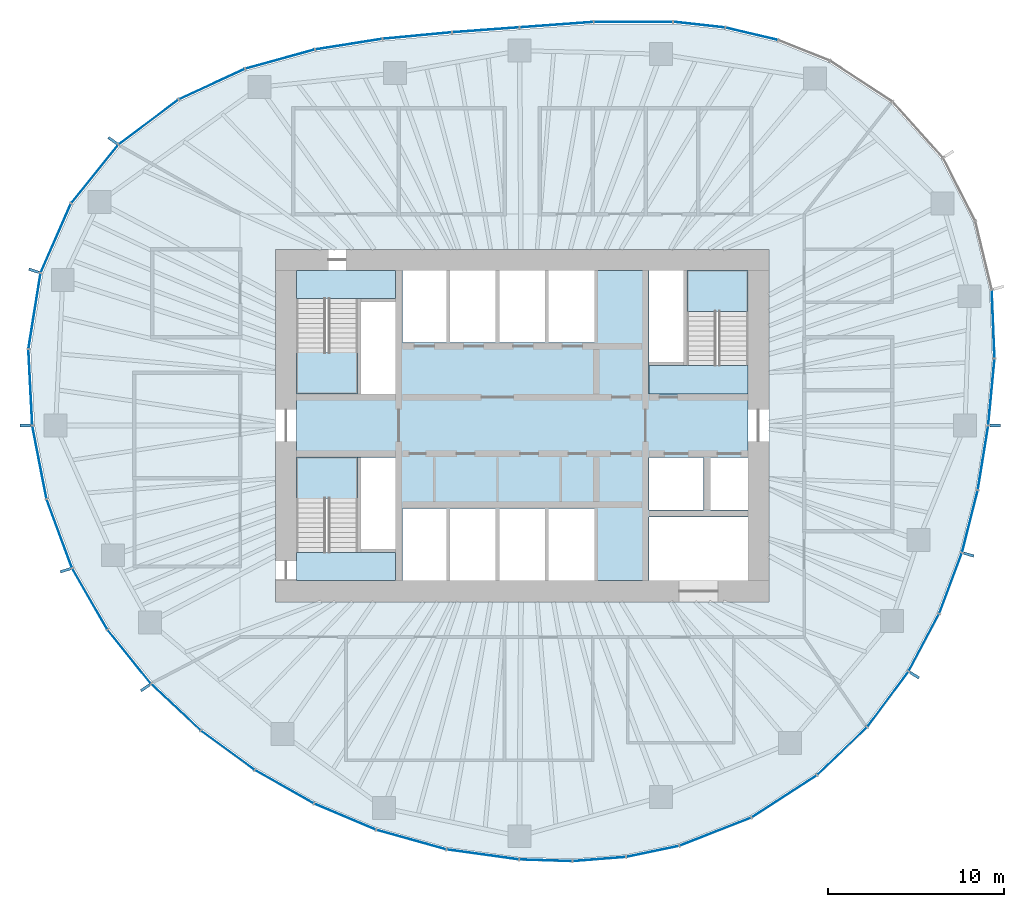
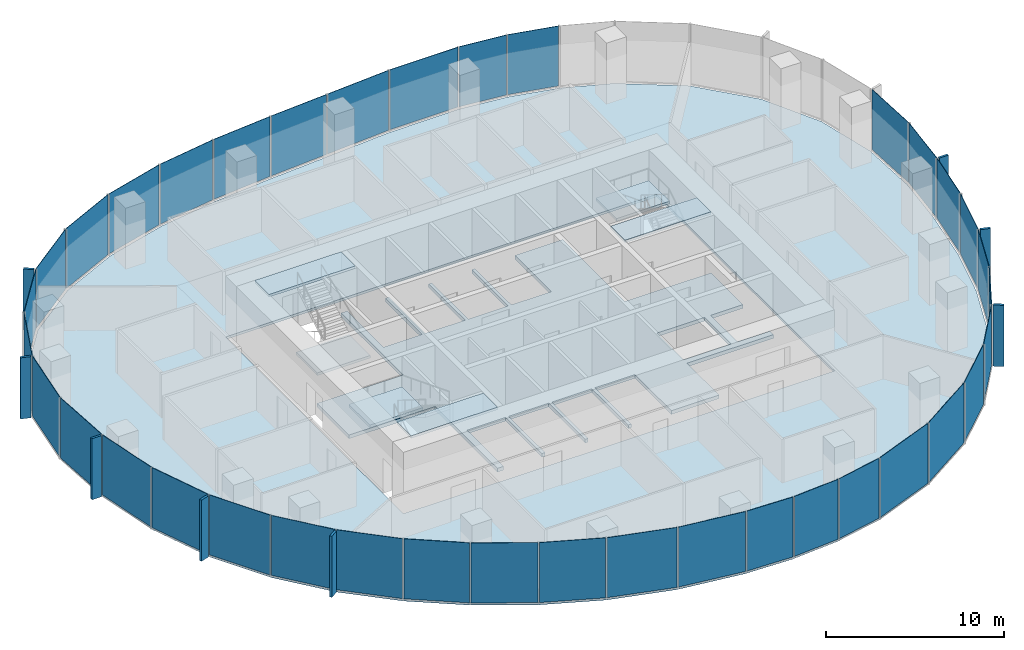
# One storey, part 7 of 11: 45 plates, 8 slabs, 21 elements without a shape of their own.
"""IFC4 building model written with IfcOpenShell, lengths in metres."""

from ifc_helpers import new_model, si_unit, direction, frame, origin, origin_2d, place, context, subcontext, project, spatial, polyline, rectangle, outline, extrude, material, layer, layer_set, type_object, element, aggregate, save


model = new_model("IFC4")

# Units and contexts
model_context = context("Model", 3, precision=1e-05, world=origin(), true_north=direction((0.0, 1.0)))
body_context = subcontext(model_context, "Body", "Model", "MODEL_VIEW")
ifc_project = project(units=[si_unit("LENGTHUNIT", "METRE"), si_unit("AREAUNIT", "SQUARE_METRE"), si_unit("VOLUMEUNIT", "CUBIC_METRE"), si_unit("PLANEANGLEUNIT", "RADIAN"), si_unit("MASSUNIT", "GRAM", prefix="KILO")], contexts=[model_context])

# Site, building, storey
site_placement = place(None, origin())
site = spatial("IfcSite", under=ifc_project, at=site_placement, CompositionType="ELEMENT")
building_placement = place(site_placement, origin())
building = spatial("IfcBuilding", under=site, at=building_placement, Name="Ghaith Harvest Tower", CompositionType="ELEMENT")
storey_placement = place(building_placement, frame((0.0, 0.0, 215.800048828125)))
storey = spatial("IfcBuildingStorey", under=building, at=storey_placement, Name="L47", CompositionType="ELEMENT", Elevation=215.800048828125)

# Curtain wall, plates
ifc_material_1 = material(Name="Black anodised aluminium and fritted glass", Category="aluminium")
curtain_wall_type = type_object("IfcCurtainWallType", Name="CW-H CURTAIN WALL", PredefinedType="NOTDEFINED", material=ifc_material_1)
curtain_wall_1_placement = place(storey_placement, origin())
curtain_wall_1 = element("IfcCurtainWall", 1, at=curtain_wall_1_placement, inside=storey, type_object=curtain_wall_type, Name="Curtain wall CW-H bay 01 L47", PredefinedType="NOTDEFINED")
ifc_material_2 = material(Name="Glass, dark solar-control fritted double glazed unit", Category="glass")
ifc_layer_1 = layer(ifc_material_2, 0.030029296875)
ifc_layer_set_1 = layer_set([ifc_layer_1], Name="CW-H VISION PANEL")
plate_type_1 = type_object("IfcPlateType", Name="CW-H VISION PANEL", PredefinedType="CURTAIN_PANEL", material=ifc_layer_set_1)
plate_1_placement = place(storey_placement, frame((26.624755859375, 1.89794921875, 0.079833984375), z_axis=(0.0, 0.0, 1.0), x_axis=(0.094301909937, 0.995543645343, 0.0)))
plate_1 = element("IfcPlate", 2, at=plate_1_placement, type_object=plate_type_1, Name="CW-H glass unit 1 bay 01 L47", PredefinedType="CURTAIN_PANEL", context=body_context, shape_type="SweptSolid", body=[
    extrude(rectangle(XDim=3.73291015625, YDim=0.030029296875, at=origin_2d()), origin(), (0.0, 0.0, 1.0), 4.1201171875),
])
plate_2_placement = place(storey_placement, frame((26.7255859375, 5.74853515625, 0.079833984375), z_axis=(0.0, 0.0, 1.0), x_axis=(-0.040462173218, 0.999181070947, 0.0)))
plate_2 = element("IfcPlate", 3, at=plate_2_placement, type_object=plate_type_1, Name="CW-H glass unit 2 bay 01 L47", PredefinedType="CURTAIN_PANEL", context=body_context, shape_type="SweptSolid", body=[
    extrude(rectangle(XDim=3.82861328125, YDim=0.030029296875, at=origin_2d()), origin(), (0.0, 0.0, 1.0), 4.1201171875),
])
aggregate(curtain_wall_1, [plate_1, plate_2])

curtain_wall_2_placement = place(storey_placement, origin())
curtain_wall_2 = element("IfcCurtainWall", 4, at=curtain_wall_2_placement, inside=storey, type_object=curtain_wall_type, Name="Curtain wall CW-H bay 04 L47", PredefinedType="NOTDEFINED")
plate_3_placement = place(storey_placement, frame((13.027099609375, 22.225341796875, 0.079833984375), z_axis=(0.0, 0.0, 1.0), x_axis=(-0.973266235028, 0.229679854916, 0.0)))
plate_3 = element("IfcPlate", 5, at=plate_3_placement, type_object=plate_type_1, Name="CW-H glass unit 2 bay 04 L47", PredefinedType="CURTAIN_PANEL", context=body_context, shape_type="SweptSolid", body=[
    extrude(rectangle(XDim=3.00244140625, YDim=0.030029296875, at=origin_2d()), origin(), (0.0, 0.0, 1.0), 4.1201171875),
])
plate_4_placement = place(storey_placement, frame((10.045654296875, 22.744384765625, 0.079833984375), z_axis=(0.0, 0.0, 1.0), x_axis=(-0.993865217442, 0.11059805405, 0.0)))
plate_4 = element("IfcPlate", 6, at=plate_4_placement, type_object=plate_type_1, Name="CW-H glass unit 3 bay 04 L47", PredefinedType="CURTAIN_PANEL", context=body_context, shape_type="SweptSolid", body=[
    extrude(rectangle(XDim=2.901123046875, YDim=0.030029296875, at=origin_2d()), origin(), (0.0, 0.0, 1.0), 4.1201171875),
])
aggregate(curtain_wall_2, [plate_3, plate_4])

curtain_wall_3_placement = place(storey_placement, origin())
curtain_wall_3 = element("IfcCurtainWall", 7, at=curtain_wall_3_placement, inside=storey, type_object=curtain_wall_type, Name="Curtain wall CW-H bay 05 L47", PredefinedType="NOTDEFINED")
plate_5_placement = place(storey_placement, frame((6.31201171875, 22.904296875, 0.079833984375), z_axis=(0.0, 0.0, 1.0), x_axis=(-0.999997643645, -0.002170876291, 0.0)))
plate_5 = element("IfcPlate", 8, at=plate_5_placement, type_object=plate_type_1, Name="CW-H glass unit 1 bay 05 L47", PredefinedType="CURTAIN_PANEL", context=body_context, shape_type="SweptSolid", body=[
    extrude(rectangle(XDim=4.4248046875, YDim=0.030029296875, at=origin_2d()), origin(), (0.0, 0.0, 1.0), 4.1201171875),
])
plate_6_placement = place(storey_placement, frame((1.952392578125, 22.744873046875, 0.079833984375), z_axis=(0.0, 0.0, 1.0), x_axis=(-0.997324570719, -0.073100619976, 0.0)))
plate_6 = element("IfcPlate", 9, at=plate_6_placement, type_object=plate_type_1, Name="CW-H glass unit 2 bay 05 L47", PredefinedType="CURTAIN_PANEL", context=body_context, shape_type="SweptSolid", body=[
    extrude(rectangle(XDim=4.1455078125, YDim=0.030029296875, at=origin_2d()), origin(), (0.0, 0.0, 1.0), 4.1201171875),
])
aggregate(curtain_wall_3, [plate_5, plate_6])

curtain_wall_4_placement = place(storey_placement, origin())
curtain_wall_4 = element("IfcCurtainWall", 10, at=curtain_wall_4_placement, inside=storey, type_object=curtain_wall_type, Name="Curtain wall CW-H bay 06 L47", PredefinedType="NOTDEFINED")
plate_7_placement = place(storey_placement, frame((-2.0693359375, 22.450439453125, 0.079833984375), z_axis=(0.0, 0.0, 1.0), x_axis=(-0.997334393671, -0.072966479985, 0.0)))
plate_7 = element("IfcPlate", 11, at=plate_7_placement, type_object=plate_type_1, Name="CW-H glass unit 1 bay 06 L47", PredefinedType="CURTAIN_PANEL", context=body_context, shape_type="SweptSolid", body=[
    extrude(rectangle(XDim=3.759765625, YDim=0.030029296875, at=origin_2d()), origin(), (0.0, 0.0, 1.0), 4.1201171875),
])
plate_8_placement = place(storey_placement, frame((-5.954345703125, 22.12548828125, 0.079833984375), z_axis=(0.0, 0.0, 1.0), x_axis=(-0.995631991968, -0.093364535934, 0.0)))
plate_8 = element("IfcPlate", 12, at=plate_8_placement, type_object=plate_type_1, Name="CW-H glass unit 2 bay 06 L47", PredefinedType="CURTAIN_PANEL", context=body_context, shape_type="SweptSolid", body=[
    extrude(rectangle(XDim=3.87744140625, YDim=0.030029296875, at=origin_2d()), origin(), (0.0, 0.0, 1.0), 4.1201171875),
])
aggregate(curtain_wall_4, [plate_7, plate_8])

curtain_wall_5_placement = place(storey_placement, origin())
curtain_wall_5 = element("IfcCurtainWall", 13, at=curtain_wall_5_placement, inside=storey, type_object=curtain_wall_type, Name="Curtain wall CW-H bay 07 L47", PredefinedType="NOTDEFINED")
plate_9_placement = place(storey_placement, frame((-9.83837890625, 21.638671875, 0.079833984375), z_axis=(0.0, 0.0, 1.0), x_axis=(-0.98777033338, -0.155915901993, 0.0)))
plate_9 = element("IfcPlate", 14, at=plate_9_placement, type_object=plate_type_1, Name="CW-H glass unit 1 bay 07 L47", PredefinedType="CURTAIN_PANEL", context=body_context, shape_type="SweptSolid", body=[
    extrude(rectangle(XDim=3.795166015625, YDim=0.030029296875, at=origin_2d()), origin(), (0.0, 0.0, 1.0), 4.1201171875),
])
plate_10_placement = place(storey_placement, frame((-13.736572265625, 20.78955078125, 0.079833984375), z_axis=(0.0, 0.0, 1.0), x_axis=(-0.964034113875, -0.26577853052, 0.0)))
plate_10 = element("IfcPlate", 15, at=plate_10_placement, type_object=plate_type_1, Name="CW-H glass unit 2 bay 07 L47", PredefinedType="CURTAIN_PANEL", context=body_context, shape_type="SweptSolid", body=[
    extrude(rectangle(XDim=4.03662109375, YDim=0.030029296875, at=origin_2d()), origin(), (0.0, 0.0, 1.0), 4.1201171875),
])
aggregate(curtain_wall_5, [plate_9, plate_10])

curtain_wall_6_placement = place(storey_placement, origin())
curtain_wall_6 = element("IfcCurtainWall", 16, at=curtain_wall_6_placement, inside=storey, type_object=curtain_wall_type, Name="Curtain wall CW-H bay 08 L47", PredefinedType="NOTDEFINED")
plate_11_placement = place(storey_placement, frame((-17.608154296875, 19.370849609375, 0.079833984375), z_axis=(0.0, 0.0, 1.0), x_axis=(-0.907814470414, -0.419372015408, 0.0)))
plate_11 = element("IfcPlate", 17, at=plate_11_placement, type_object=plate_type_1, Name="CW-H glass unit 1 bay 08 L47", PredefinedType="CURTAIN_PANEL", context=body_context, shape_type="SweptSolid", body=[
    extrude(rectangle(XDim=4.077392578125, YDim=0.030029296875, at=origin_2d()), origin(), (0.0, 0.0, 1.0), 4.1201171875),
])
plate_12_placement = place(storey_placement, frame((-21.20166015625, 17.219482421875, 0.079833984375), z_axis=(0.0, 0.0, 1.0), x_axis=(-0.800067053187, -0.599910585341, 0.0)))
plate_12 = element("IfcPlate", 18, at=plate_12_placement, type_object=plate_type_1, Name="CW-H glass unit 2 bay 08 L47", PredefinedType="CURTAIN_PANEL", context=body_context, shape_type="SweptSolid", body=[
    extrude(rectangle(XDim=4.18603515625, YDim=0.030029296875, at=origin_2d()), origin(), (0.0, 0.0, 1.0), 4.1201171875),
])
aggregate(curtain_wall_6, [plate_11, plate_12])

curtain_wall_7_placement = place(storey_placement, origin())
curtain_wall_7 = element("IfcCurtainWall", 19, at=curtain_wall_7_placement, inside=storey, type_object=curtain_wall_type, Name="Curtain wall CW-H bay 09 L47", PredefinedType="NOTDEFINED")
plate_13_placement = place(storey_placement, frame((-24.25390625, 14.270263671875, 0.079833984375), z_axis=(0.0, 0.0, 1.0), x_axis=(-0.627547637499, -0.778578167347, 0.0)))
plate_13 = element("IfcPlate", 20, at=plate_13_placement, type_object=plate_type_1, Name="CW-H glass unit 1 bay 09 L47", PredefinedType="CURTAIN_PANEL", context=body_context, shape_type="SweptSolid", body=[
    extrude(rectangle(XDim=4.208740234375, YDim=0.030029296875, at=origin_2d()), origin(), (0.0, 0.0, 1.0), 4.1201171875),
])
plate_14_placement = place(storey_placement, frame((-26.462646484375, 10.63037109375, 0.079833984375), z_axis=(0.0, 0.0, 1.0), x_axis=(-0.40121291108, -0.915984825192, 0.0)))
plate_14 = element("IfcPlate", 21, at=plate_14_placement, type_object=plate_type_1, Name="CW-H glass unit 2 bay 09 L47", PredefinedType="CURTAIN_PANEL", context=body_context, shape_type="SweptSolid", body=[
    extrude(rectangle(XDim=4.22216796875, YDim=0.030029296875, at=origin_2d()), origin(), (0.0, 0.0, 1.0), 4.1201171875),
])
aggregate(curtain_wall_7, [plate_13, plate_14])

curtain_wall_8_placement = place(storey_placement, origin())
curtain_wall_8 = element("IfcCurtainWall", 22, at=curtain_wall_8_placement, inside=storey, type_object=curtain_wall_type, Name="Curtain wall CW-H bay 10 L47", PredefinedType="NOTDEFINED")
plate_15_placement = place(storey_placement, frame((-27.670654296875, 6.49658203125, 0.079833984375), z_axis=(0.0, 0.0, 1.0), x_axis=(-0.157514341695, -0.987516699687, 0.0)))
plate_15 = element("IfcPlate", 23, at=plate_15_placement, type_object=plate_type_1, Name="CW-H glass unit 1 bay 10 L47", PredefinedType="CURTAIN_PANEL", context=body_context, shape_type="SweptSolid", body=[
    extrude(rectangle(XDim=4.301513671875, YDim=0.030029296875, at=origin_2d()), origin(), (0.0, 0.0, 1.0), 4.1201171875),
])
plate_16_placement = place(storey_placement, frame((-27.905517578125, 2.16650390625, 0.079833984375), z_axis=(0.0, 0.0, 1.0), x_axis=(0.050894857592, -0.998704016949, 0.0)))
plate_16 = element("IfcPlate", 24, at=plate_16_placement, type_object=plate_type_1, Name="CW-H glass unit 2 bay 10 L47", PredefinedType="CURTAIN_PANEL", context=body_context, shape_type="SweptSolid", body=[
    extrude(rectangle(XDim=4.2587890625, YDim=0.030029296875, at=origin_2d()), origin(), (0.0, 0.0, 1.0), 4.1201171875),
])
aggregate(curtain_wall_8, [plate_15, plate_16])

curtain_wall_9_placement = place(storey_placement, origin())
curtain_wall_9 = element("IfcCurtainWall", 25, at=curtain_wall_9_placement, inside=storey, type_object=curtain_wall_type, Name="Curtain wall CW-H bay 11 L47", PredefinedType="NOTDEFINED")
plate_17_placement = place(storey_placement, frame((-27.39013671875, -2.0869140625, 0.079833984375), z_axis=(0.0, 0.0, 1.0), x_axis=(0.190426809322, -0.981701395686, 0.0)))
plate_17 = element("IfcPlate", 26, at=plate_17_placement, type_object=plate_type_1, Name="CW-H glass unit 1 bay 11 L47", PredefinedType="CURTAIN_PANEL", context=body_context, shape_type="SweptSolid", body=[
    extrude(rectangle(XDim=4.171630859375, YDim=0.030029296875, at=origin_2d()), origin(), (0.0, 0.0, 1.0), 4.1201171875),
])
plate_18_placement = place(storey_placement, frame((-26.261962890625, -6.1337890625, 0.079833984375), z_axis=(0.0, 0.0, 1.0), x_axis=(0.346303431688, -0.938122557666, 0.0)))
plate_18 = element("IfcPlate", 27, at=plate_18_placement, type_object=plate_type_1, Name="CW-H glass unit 2 bay 11 L47", PredefinedType="CURTAIN_PANEL", context=body_context, shape_type="SweptSolid", body=[
    extrude(rectangle(XDim=4.098388671875, YDim=0.030029296875, at=origin_2d()), origin(), (0.0, 0.0, 1.0), 4.1201171875),
])
aggregate(curtain_wall_9, [plate_17, plate_18])

curtain_wall_10_placement = place(storey_placement, origin())
curtain_wall_10 = element("IfcCurtainWall", 28, at=curtain_wall_10_placement, inside=storey, type_object=curtain_wall_type, Name="Curtain wall CW-H bay 12 L47", PredefinedType="NOTDEFINED")
plate_19_placement = place(storey_placement, frame((-24.535888671875, -9.838623046875, 0.079833984375), z_axis=(0.0, 0.0, 1.0), x_axis=(0.49818018945, -0.867073525625, 0.0)))
plate_19 = element("IfcPlate", 29, at=plate_19_placement, type_object=plate_type_1, Name="CW-H glass unit 1 bay 12 L47", PredefinedType="CURTAIN_PANEL", context=body_context, shape_type="SweptSolid", body=[
    extrude(rectangle(XDim=3.945068359375, YDim=0.030029296875, at=origin_2d()), origin(), (0.0, 0.0, 1.0), 4.1201171875),
])
plate_20_placement = place(storey_placement, frame((-22.29736328125, -13.119140625, 0.079833984375), z_axis=(0.0, 0.0, 1.0), x_axis=(0.626957061695, -0.779053812513, 0.0)))
plate_20 = element("IfcPlate", 30, at=plate_20_placement, type_object=plate_type_1, Name="CW-H glass unit 2 bay 12 L47", PredefinedType="CURTAIN_PANEL", context=body_context, shape_type="SweptSolid", body=[
    extrude(rectangle(XDim=3.8623046875, YDim=0.030029296875, at=origin_2d()), origin(), (0.0, 0.0, 1.0), 4.1201171875),
])
aggregate(curtain_wall_10, [plate_19, plate_20])

curtain_wall_11_placement = place(storey_placement, origin())
curtain_wall_11 = element("IfcCurtainWall", 31, at=curtain_wall_11_placement, inside=storey, type_object=curtain_wall_type, Name="Curtain wall CW-H bay 13 L47", PredefinedType="NOTDEFINED")
plate_21_placement = place(storey_placement, frame((-19.649658203125, -15.98046875, 0.079833984375), z_axis=(0.0, 0.0, 1.0), x_axis=(0.729016864325, -0.684495735217, 0.0)))
plate_21 = element("IfcPlate", 32, at=plate_21_placement, type_object=plate_type_1, Name="CW-H glass unit 1 bay 13 L47", PredefinedType="CURTAIN_PANEL", context=body_context, shape_type="SweptSolid", body=[
    extrude(rectangle(XDim=3.793212890625, YDim=0.030029296875, at=origin_2d()), origin(), (0.0, 0.0, 1.0), 4.1201171875),
])
plate_22_placement = place(storey_placement, frame((-16.707763671875, -18.42431640625, 0.079833984375), z_axis=(0.0, 0.0, 1.0), x_axis=(0.80736351134, -0.590054370848, 0.0)))
plate_22 = element("IfcPlate", 33, at=plate_22_placement, type_object=plate_type_1, Name="CW-H glass unit 2 bay 13 L47", PredefinedType="CURTAIN_PANEL", context=body_context, shape_type="SweptSolid", body=[
    extrude(rectangle(XDim=3.710693359375, YDim=0.030029296875, at=origin_2d()), origin(), (0.0, 0.0, 1.0), 4.1201171875),
])
aggregate(curtain_wall_11, [plate_21, plate_22])

curtain_wall_12_placement = place(storey_placement, origin())
curtain_wall_12 = element("IfcCurtainWall", 34, at=curtain_wall_12_placement, inside=storey, type_object=curtain_wall_type, Name="Curtain wall CW-H bay 14 L47", PredefinedType="NOTDEFINED")
plate_23_placement = place(storey_placement, frame((-13.496337890625, -20.496826171875, 0.079833984375), z_axis=(0.0, 0.0, 1.0), x_axis=(0.869715300233, -0.493553742303, 0.0)))
plate_23 = element("IfcPlate", 35, at=plate_23_placement, type_object=plate_type_1, Name="CW-H glass unit 1 bay 14 L47", PredefinedType="CURTAIN_PANEL", context=body_context, shape_type="SweptSolid", body=[
    extrude(rectangle(XDim=3.785888671875, YDim=0.030029296875, at=origin_2d()), origin(), (0.0, 0.0, 1.0), 4.1201171875),
])
plate_24_placement = place(storey_placement, frame((-10.050537109375, -22.1962890625, 0.079833984375), z_axis=(0.0, 0.0, 1.0), x_axis=(0.921181516072, -0.389133157734, 0.0)))
plate_24 = element("IfcPlate", 36, at=plate_24_placement, type_object=plate_type_1, Name="CW-H glass unit 2 bay 14 L47", PredefinedType="CURTAIN_PANEL", context=body_context, shape_type="SweptSolid", body=[
    extrude(rectangle(XDim=3.751220703125, YDim=0.030029296875, at=origin_2d()), origin(), (0.0, 0.0, 1.0), 4.1201171875),
])
aggregate(curtain_wall_12, [plate_23, plate_24])

curtain_wall_13_placement = place(storey_placement, origin())
curtain_wall_13 = element("IfcCurtainWall", 37, at=curtain_wall_13_placement, inside=storey, type_object=curtain_wall_type, Name="Curtain wall CW-H bay 15 L47", PredefinedType="NOTDEFINED")
plate_25_placement = place(storey_placement, frame((-6.291015625, -23.49853515625, 0.079833984375), z_axis=(0.0, 0.0, 1.0), x_axis=(0.963162861349, -0.268918765647, 0.0)))
plate_25 = element("IfcPlate", 38, at=plate_25_placement, type_object=plate_type_1, Name="CW-H glass unit 1 bay 15 L47", PredefinedType="CURTAIN_PANEL", context=body_context, shape_type="SweptSolid", body=[
    extrude(rectangle(XDim=4.062744140625, YDim=0.030029296875, at=origin_2d()), origin(), (0.0, 0.0, 1.0), 4.1201171875),
])
plate_26_placement = place(storey_placement, frame((-2.232177734375, -24.34033203125, 0.079833984375), z_axis=(0.0, 0.0, 1.0), x_axis=(0.990612268407, -0.136701622823, 0.0)))
plate_26 = element("IfcPlate", 39, at=plate_26_placement, type_object=plate_type_1, Name="CW-H glass unit 2 bay 15 L47", PredefinedType="CURTAIN_PANEL", context=body_context, shape_type="SweptSolid", body=[
    extrude(rectangle(XDim=4.08642578125, YDim=0.030029296875, at=origin_2d()), origin(), (0.0, 0.0, 1.0), 4.1201171875),
])
aggregate(curtain_wall_13, [plate_25, plate_26])

curtain_wall_14_placement = place(storey_placement, origin())
curtain_wall_14 = element("IfcCurtainWall", 40, at=curtain_wall_14_placement, inside=storey, type_object=curtain_wall_type, Name="Curtain wall CW-H bay 16 L47", PredefinedType="NOTDEFINED")
plate_27_placement = place(storey_placement, frame((1.339599609375, -24.67333984375, 0.079833984375), z_axis=(0.0, 0.0, 1.0), x_axis=(0.99949125523, -0.031894054587, 0.0)))
plate_27 = element("IfcPlate", 41, at=plate_27_placement, type_object=plate_type_1, Name="CW-H glass unit 1 bay 16 L47", PredefinedType="CURTAIN_PANEL", context=body_context, shape_type="SweptSolid", body=[
    extrude(rectangle(XDim=2.937744140625, YDim=0.030029296875, at=origin_2d()), origin(), (0.0, 0.0, 1.0), 4.1201171875),
])
plate_28_placement = place(storey_placement, frame((4.37060546875, -24.60205078125, 0.079833984375), z_axis=(0.0, 0.0, 1.0), x_axis=(0.996945418782, 0.078101421048, 0.0)))
plate_28 = element("IfcPlate", 42, at=plate_28_placement, type_object=plate_type_1, Name="CW-H glass unit 2 bay 16 L47", PredefinedType="CURTAIN_PANEL", context=body_context, shape_type="SweptSolid", body=[
    extrude(rectangle(XDim=2.974853515625, YDim=0.030029296875, at=origin_2d()), origin(), (0.0, 0.0, 1.0), 4.1201171875),
])
plate_29_placement = place(storey_placement, frame((7.40478515625, -24.16650390625, 0.079833984375), z_axis=(0.0, 0.0, 1.0), x_axis=(0.978788872874, 0.204871526422, 0.0)))
plate_29 = element("IfcPlate", 43, at=plate_29_placement, type_object=plate_type_1, Name="CW-H glass unit 3 bay 16 L47", PredefinedType="CURTAIN_PANEL", context=body_context, shape_type="SweptSolid", body=[
    extrude(rectangle(XDim=3.00830078125, YDim=0.030029296875, at=origin_2d()), origin(), (0.0, 0.0, 1.0), 4.1201171875),
])
aggregate(curtain_wall_14, [plate_27, plate_28, plate_29])

curtain_wall_15_placement = place(storey_placement, origin())
curtain_wall_15 = element("IfcCurtainWall", 44, at=curtain_wall_15_placement, inside=storey, type_object=curtain_wall_type, Name="Curtain wall CW-H bay 17 L47", PredefinedType="NOTDEFINED")
plate_30_placement = place(storey_placement, frame((10.963134765625, -23.048583984375, 0.079833984375), z_axis=(0.0, 0.0, 1.0), x_axis=(0.931161161765, 0.364607858966, 0.0)))
plate_30 = element("IfcPlate", 45, at=plate_30_placement, type_object=plate_type_1, Name="CW-H glass unit 1 bay 17 L47", PredefinedType="CURTAIN_PANEL", context=body_context, shape_type="SweptSolid", body=[
    extrude(rectangle(XDim=4.316650390625, YDim=0.030029296875, at=origin_2d()), origin(), (0.0, 0.0, 1.0), 4.1201171875),
])
plate_31_placement = place(storey_placement, frame((14.869384765625, -21.042724609375, 0.079833984375), z_axis=(0.0, 0.0, 1.0), x_axis=(0.839305300126, 0.543660384045, 0.0)))
plate_31 = element("IfcPlate", 46, at=plate_31_placement, type_object=plate_type_1, Name="CW-H glass unit 2 bay 17 L47", PredefinedType="CURTAIN_PANEL", context=body_context, shape_type="SweptSolid", body=[
    extrude(rectangle(XDim=4.35107421875, YDim=0.030029296875, at=origin_2d()), origin(), (0.0, 0.0, 1.0), 4.1201171875),
])
aggregate(curtain_wall_15, [plate_30, plate_31])

curtain_wall_16_placement = place(storey_placement, origin())
curtain_wall_16 = element("IfcCurtainWall", 47, at=curtain_wall_16_placement, inside=storey, type_object=curtain_wall_type, Name="Curtain wall CW-H bay 18 L47", PredefinedType="NOTDEFINED")
plate_32_placement = place(storey_placement, frame((18.151611328125, -18.47705078125, 0.079833984375), z_axis=(0.0, 0.0, 1.0), x_axis=(0.722532585058, 0.691336866896, 0.0)))
plate_32 = element("IfcPlate", 48, at=plate_32_placement, type_object=plate_type_1, Name="CW-H glass unit 1 bay 18 L47", PredefinedType="CURTAIN_PANEL", context=body_context, shape_type="SweptSolid", body=[
    extrude(rectangle(XDim=3.85791015625, YDim=0.030029296875, at=origin_2d()), origin(), (0.0, 0.0, 1.0), 4.1201171875),
])
plate_33_placement = place(storey_placement, frame((20.74853515625, -15.53369140625, 0.079833984375), z_axis=(0.0, 0.0, 1.0), x_axis=(0.596018639888, 0.802970597784, 0.0)))
plate_33 = element("IfcPlate", 49, at=plate_33_placement, type_object=plate_type_1, Name="CW-H glass unit 2 bay 18 L47", PredefinedType="CURTAIN_PANEL", context=body_context, shape_type="SweptSolid", body=[
    extrude(rectangle(XDim=3.8603515625, YDim=0.030029296875, at=origin_2d()), origin(), (0.0, 0.0, 1.0), 4.1201171875),
])
aggregate(curtain_wall_16, [plate_32, plate_33])

curtain_wall_17_placement = place(storey_placement, origin())
curtain_wall_17 = element("IfcCurtainWall", 50, at=curtain_wall_17_placement, inside=storey, type_object=curtain_wall_type, Name="Curtain wall CW-H bay 19 L47", PredefinedType="NOTDEFINED")
plate_34_placement = place(storey_placement, frame((22.79052734375, -12.316162109375, 0.079833984375), z_axis=(0.0, 0.0, 1.0), x_axis=(0.46864379564, 0.883387226989, 0.0)))
plate_34 = element("IfcPlate", 51, at=plate_34_placement, type_object=plate_type_1, Name="CW-H glass unit 1 bay 19 L47", PredefinedType="CURTAIN_PANEL", context=body_context, shape_type="SweptSolid", body=[
    extrude(rectangle(XDim=3.623291015625, YDim=0.030029296875, at=origin_2d()), origin(), (0.0, 0.0, 1.0), 4.1201171875),
])
plate_35_placement = place(storey_placement, frame((24.30712890625, -8.946533203125, 0.079833984375), z_axis=(0.0, 0.0, 1.0), x_axis=(0.350480749824, 0.936569935457, 0.0)))
plate_35 = element("IfcPlate", 52, at=plate_35_placement, type_object=plate_type_1, Name="CW-H glass unit 2 bay 19 L47", PredefinedType="CURTAIN_PANEL", context=body_context, shape_type="SweptSolid", body=[
    extrude(rectangle(XDim=3.62255859375, YDim=0.030029296875, at=origin_2d()), origin(), (0.0, 0.0, 1.0), 4.1201171875),
])
aggregate(curtain_wall_17, [plate_34, plate_35])

curtain_wall_18_placement = place(storey_placement, origin())
curtain_wall_18 = element("IfcCurtainWall", 53, at=curtain_wall_18_placement, inside=storey, type_object=curtain_wall_type, Name="Curtain wall CW-H bay 20 L47", PredefinedType="NOTDEFINED")
plate_36_placement = place(storey_placement, frame((25.404541015625, -5.43701171875, 0.079833984375), z_axis=(0.0, 0.0, 1.0), x_axis=(0.244925945134, 0.969541789404, 0.0)))
plate_36 = element("IfcPlate", 54, at=plate_36_placement, type_object=plate_type_1, Name="CW-H glass unit 1 bay 20 L47", PredefinedType="CURTAIN_PANEL", context=body_context, shape_type="SweptSolid", body=[
    extrude(rectangle(XDim=3.583251953125, YDim=0.030029296875, at=origin_2d()), origin(), (0.0, 0.0, 1.0), 4.1201171875),
])
plate_37_placement = place(storey_placement, frame((26.14892578125, -1.83056640625, 0.079833984375), z_axis=(0.0, 0.0, 1.0), x_axis=(0.159600748097, 0.987181645497, 0.0)))
plate_37 = element("IfcPlate", 55, at=plate_37_placement, type_object=plate_type_1, Name="CW-H glass unit 2 bay 20 L47", PredefinedType="CURTAIN_PANEL", context=body_context, shape_type="SweptSolid", body=[
    extrude(rectangle(XDim=3.628662109375, YDim=0.030029296875, at=origin_2d()), origin(), (0.0, 0.0, 1.0), 4.1201171875),
])
aggregate(curtain_wall_18, [plate_36, plate_37])

# Slabs
ifc_material_3 = material(Name="Concrete C40/50", Category="concrete")
ifc_layer_2 = layer(ifc_material_3, 0.169921875)
ifc_layer_set_2 = layer_set([ifc_layer_2], Name="FLOOR SLAB 170")
slab_type_1 = type_object("IfcSlabType", Name="FLOOR SLAB 170", PredefinedType="FLOOR", material=ifc_layer_set_2)
slab_1_placement = place(storey_placement, frame((0.0, 0.0, -0.170166015625)))
element("IfcSlab", 56, at=slab_1_placement, inside=storey, type_object=slab_type_1, Name="Floor slab L47", PredefinedType="FLOOR", context=body_context, shape_type="SweptSolid", body=[
    extrude(outline(polyline([(26.324951171875, 0.0), (26.685791015625, 3.779052734375), (26.531005859375, 7.668212890625), (25.597900390625, 11.55615234375), (23.77294921875, 15.12939453125), (20.923095703125, 18.295166015625), (17.382080078125, 20.612548828125), (14.460693359375, 21.771484375), (11.47265625, 22.47265625), (8.522216796875, 22.796875), (4.03857421875, 22.78125), (-0.15380859375, 22.470458984375), (-3.963134765625, 22.192138671875), (-7.8837890625, 21.827880859375), (-11.694580078125, 21.2314453125), (-15.6474609375, 20.147705078125), (-19.408203125, 18.41650390625), (-22.809814453125, 15.87109375), (-25.491943359375, 12.547607421875), (-27.211181640625, 8.623779296875), (-27.897216796875, 4.314697265625), (-27.675048828125, 0.0), (-26.86669921875, -4.155517578125), (-25.424072265625, -8.057373046875), (-23.425537109375, -11.530517578125), (-20.963134765625, -14.586181640625), (-18.15087890625, -17.223388671875), (-15.10400390625, -19.447998046875), (-11.75732421875, -21.345703125), (-8.2451171875, -22.82861328125), (-4.27490234375, -23.9375), (-0.167724609375, -24.505126953125), (2.833984375, -24.602294921875), (5.865234375, -24.3662109375), (8.8740234375, -23.73779296875), (12.949462890625, -22.1435546875), (16.651611328125, -19.746337890625), (19.48388671875, -17.036865234375), (21.821533203125, -13.887451171875), (23.548828125, -10.631103515625), (24.840576171875, -7.179443359375), (25.734375, -3.644287109375), (26.324951171875, 0.0)]), holes=[polyline([(-14.0, -10.0), (14.0, -10.0), (14.0, 10.0), (-14.0, 10.0), (-14.0, -10.0)])]), origin(), (0.0, 0.0, 1.0), 0.170166015625),
])
ifc_material_4 = material(Name="Concrete C40/50", Category="concrete")
ifc_layer_3 = layer(ifc_material_4, 0.25)
ifc_layer_set_3 = layer_set([ifc_layer_3], Name="FLOOR SLAB 250")
slab_type_2 = type_object("IfcSlabType", Name="FLOOR SLAB 250", PredefinedType="FLOOR", material=ifc_layer_set_3)
slab_2_placement = place(storey_placement, frame((0.0, 0.0, -0.25)))
element("IfcSlab", 57, at=slab_2_placement, inside=storey, type_object=slab_type_2, Name="Core slab L47", PredefinedType="FLOOR", context=body_context, shape_type="SweptSolid", body=[
    extrude(outline(polyline([(-12.800048828125, 1.800048828125), (-7.199951171875, 1.800048828125), (-7.199951171875, 8.800048828125), (-6.800048828125, 8.800048828125), (-6.800048828125, 4.699951171875), (-4.300048828125, 4.699951171875), (-4.300048828125, 8.800048828125), (-4.10009765625, 8.800048828125), (-4.10009765625, 4.699951171875), (-1.5, 4.699951171875), (-1.5, 8.800048828125), (-1.300048828125, 8.800048828125), (-1.300048828125, 4.699951171875), (1.300048828125, 4.699951171875), (1.300048828125, 8.800048828125), (1.5, 8.800048828125), (1.5, 4.699951171875), (4.10009765625, 4.699951171875), (4.10009765625, 8.800048828125), (7.199951171875, 8.800048828125), (7.199951171875, 1.800048828125), (12.800048828125, 1.800048828125), (12.800048828125, -1.800048828125), (10.699951171875, -1.800048828125), (10.699951171875, -4.800048828125), (12.800048828125, -4.800048828125), (12.800048828125, -5.199951171875), (7.199951171875, -5.199951171875), (7.199951171875, -8.800048828125), (4.10009765625, -8.800048828125), (4.10009765625, -4.699951171875), (1.5, -4.699951171875), (1.5, -8.800048828125), (1.300048828125, -8.800048828125), (1.300048828125, -4.699951171875), (-1.300048828125, -4.699951171875), (-1.300048828125, -8.800048828125), (-1.5, -8.800048828125), (-1.5, -4.699951171875), (-4.10009765625, -4.699951171875), (-4.10009765625, -8.800048828125), (-4.300048828125, -8.800048828125), (-4.300048828125, -4.699951171875), (-6.800048828125, -4.699951171875), (-6.800048828125, -8.800048828125), (-7.199951171875, -8.800048828125), (-7.199951171875, -1.800048828125), (-12.800048828125, -1.800048828125), (-12.800048828125, 1.800048828125)]), holes=[polyline([(10.300048828125, -4.800048828125), (10.300048828125, -1.800048828125), (7.199951171875, -1.800048828125), (7.199951171875, -4.800048828125), (10.300048828125, -4.800048828125)])]), origin(), (0.0, 0.0, 1.0), 0.25),
])

# Stair, slabs
ifc_material_5 = material(Name="Concrete C40/50, precast", Category="concrete")
stair_type = type_object("IfcStairType", Name="CORE STAIR 24R", PredefinedType="HALF_TURN_STAIR", material=ifc_material_5)
stair_1_placement = place(storey_placement, origin())
stair_1 = element("IfcStair", 58, at=stair_1_placement, inside=storey, type_object=stair_type, Name="Stair ST1 L47", PredefinedType="HALF_TURN_STAIR")
ifc_material_6 = material(Name="Concrete C40/50, precast", Category="concrete")
ifc_layer_4 = layer(ifc_material_6, 0.179931640625)
ifc_layer_set_4 = layer_set([ifc_layer_4], Name="STAIR LANDING 180")
slab_type_3 = type_object("IfcSlabType", Name="STAIR LANDING 180", PredefinedType="LANDING", material=ifc_layer_set_4)
slab_3_placement = place(storey_placement, frame((0.0, 0.0, 1.919921875)))
slab_3 = element("IfcSlab", 59, at=slab_3_placement, type_object=slab_type_3, Name="ST1 landing 1", PredefinedType="LANDING", context=body_context, shape_type="SweptSolid", body=[
    extrude(outline(polyline([(-12.800048828125, 4.139892578125), (-12.800048828125, 1.77490234375), (-9.35009765625, 1.77490234375), (-9.35009765625, 4.139892578125), (-12.800048828125, 4.139892578125)])), origin(), (0.0, 0.0, 1.0), 0.179931640625),
])
slab_4_placement = place(storey_placement, frame((0.0, 0.0, 4.02001953125)))
slab_4 = element("IfcSlab", 60, at=slab_4_placement, type_object=slab_type_3, Name="ST1 landing 2", PredefinedType="LANDING", context=body_context, shape_type="SweptSolid", body=[
    extrude(outline(polyline([(-12.800048828125, 8.800048828125), (-12.800048828125, 7.199951171875), (-7.199951171875, 7.199951171875), (-7.199951171875, 8.800048828125), (-12.800048828125, 8.800048828125)])), origin(), (0.0, 0.0, 1.0), 0.179931640625),
])
aggregate(stair_1, [slab_3, slab_4])

stair_2_placement = place(storey_placement, origin())
stair_2 = element("IfcStair", 61, at=stair_2_placement, inside=storey, type_object=stair_type, Name="Stair ST3 L47", PredefinedType="HALF_TURN_STAIR")
slab_5_placement = place(storey_placement, frame((0.0, 0.0, 1.919921875)))
slab_5 = element("IfcSlab", 62, at=slab_5_placement, type_object=slab_type_3, Name="ST3 landing 1", PredefinedType="LANDING", context=body_context, shape_type="SweptSolid", body=[
    extrude(outline(polyline([(-12.800048828125, -4.139892578125), (-12.800048828125, -1.77490234375), (-9.35009765625, -1.77490234375), (-9.35009765625, -4.139892578125), (-12.800048828125, -4.139892578125)])), origin(), (0.0, 0.0, 1.0), 0.179931640625),
])
slab_6_placement = place(storey_placement, frame((0.0, 0.0, 4.02001953125)))
slab_6 = element("IfcSlab", 63, at=slab_6_placement, type_object=slab_type_3, Name="ST3 landing 2", PredefinedType="LANDING", context=body_context, shape_type="SweptSolid", body=[
    extrude(outline(polyline([(-12.800048828125, -8.800048828125), (-12.800048828125, -7.199951171875), (-7.199951171875, -7.199951171875), (-7.199951171875, -8.800048828125), (-12.800048828125, -8.800048828125)])), origin(), (0.0, 0.0, 1.0), 0.179931640625),
])
aggregate(stair_2, [slab_5, slab_6])

stair_3_placement = place(storey_placement, origin())
stair_3 = element("IfcStair", 64, at=stair_3_placement, inside=storey, type_object=stair_type, Name="Stair ST2 L47", PredefinedType="HALF_TURN_STAIR")
slab_7_placement = place(storey_placement, frame((0.0, 0.0, 1.919921875)))
slab_7 = element("IfcSlab", 65, at=slab_7_placement, type_object=slab_type_3, Name="ST2 landing 1", PredefinedType="LANDING", context=body_context, shape_type="SweptSolid", body=[
    extrude(outline(polyline([(12.800048828125, 6.4599609375), (12.800048828125, 8.800048828125), (9.35009765625, 8.800048828125), (9.35009765625, 6.4599609375), (12.800048828125, 6.4599609375)])), origin(), (0.0, 0.0, 1.0), 0.179931640625),
])
slab_8_placement = place(storey_placement, frame((0.0, 0.0, 4.02001953125)))
slab_8 = element("IfcSlab", 66, at=slab_8_placement, type_object=slab_type_3, Name="ST2 landing 2", PredefinedType="LANDING", context=body_context, shape_type="SweptSolid", body=[
    extrude(outline(polyline([(12.800048828125, 1.800048828125), (12.800048828125, 3.39990234375), (7.199951171875, 3.39990234375), (7.199951171875, 1.800048828125), (12.800048828125, 1.800048828125)])), origin(), (0.0, 0.0, 1.0), 0.179931640625),
])
aggregate(stair_3, [slab_7, slab_8])

# Plates
ifc_material_7 = material(Name="Glassfibre-reinforced concrete", Category="concrete")
ifc_layer_5 = layer(ifc_material_7, 0.14990234375)
ifc_layer_set_5 = layer_set([ifc_layer_5], Name="SUN-BREAKER FIN 600x150")
plate_type_2 = type_object("IfcPlateType", Name="SUN-BREAKER FIN 600x150", PredefinedType="USERDEFINED", material=ifc_layer_set_5)
for number, where, z_axis, x_axis, name in (
    (67, (26.844970703125, 0.0, 0.0), (0.0, 0.0, 1.0), (1.0, 0.0, 0.0), "Sun-breaker fin CW-H 1 bay 01 L47"),
    (68, (-23.236572265625, 16.168212890625, 0.0), (0.0, 0.0, 1.0), (-0.820845486523, 0.571150319316, 0.0), "Sun-breaker fin CW-H 1 bay 09 L47"),
    (69, (-27.70703125, 8.78076171875, 0.0), (0.0, 0.0, 1.0), (-0.953273219358, 0.302109531884, 0.0), "Sun-breaker fin CW-H 1 bay 10 L47"),
    (70, (-28.195068359375, 0.0, 0.0), (0.0, 0.0, 1.0), (-1.0, -4.19e-10, 0.0), "Sun-breaker fin CW-H 1 bay 11 L47"),
    (71, (-25.919677734375, -8.21435546875, 0.0), (0.0, 0.0, 1.0), (-0.953273219416, -0.302109531701, 0.0), "Sun-breaker fin CW-H 1 bay 12 L47"),
    (72, (-21.389892578125, -14.88330078125, 0.0), (0.0, 0.0, 1.0), (-0.820845486622, -0.571150319173, 0.0), "Sun-breaker fin CW-H 1 bay 13 L47"),
    (73, (22.26025390625, -14.16650390625, 0.0), (0.0, 0.0, 1.0), (0.84364397137, -0.536903016913, 0.0), "Sun-breaker fin CW-H 1 bay 19 L47"),
    (74, (25.340087890625, -7.32373046875, 0.0), (0.0, 0.0, 1.0), (0.960680349932, -0.277656739976, 0.0), "Sun-breaker fin CW-H 1 bay 20 L47"),
):
    element("IfcPlate", number, at=place(storey_placement, frame(where, z_axis=z_axis, x_axis=x_axis)), inside=storey, type_object=plate_type_2, Name=name, ObjectType="SUN-BREAKER FIN", PredefinedType="USERDEFINED", context=body_context, shape_type="SweptSolid", body=[
        extrude(rectangle(XDim=0.60009765625, YDim=0.14990234375, at=origin_2d()), origin(), (0.0, 0.0, 1.0), 4.199951171875),
    ])

save(model, "model.ifc")
